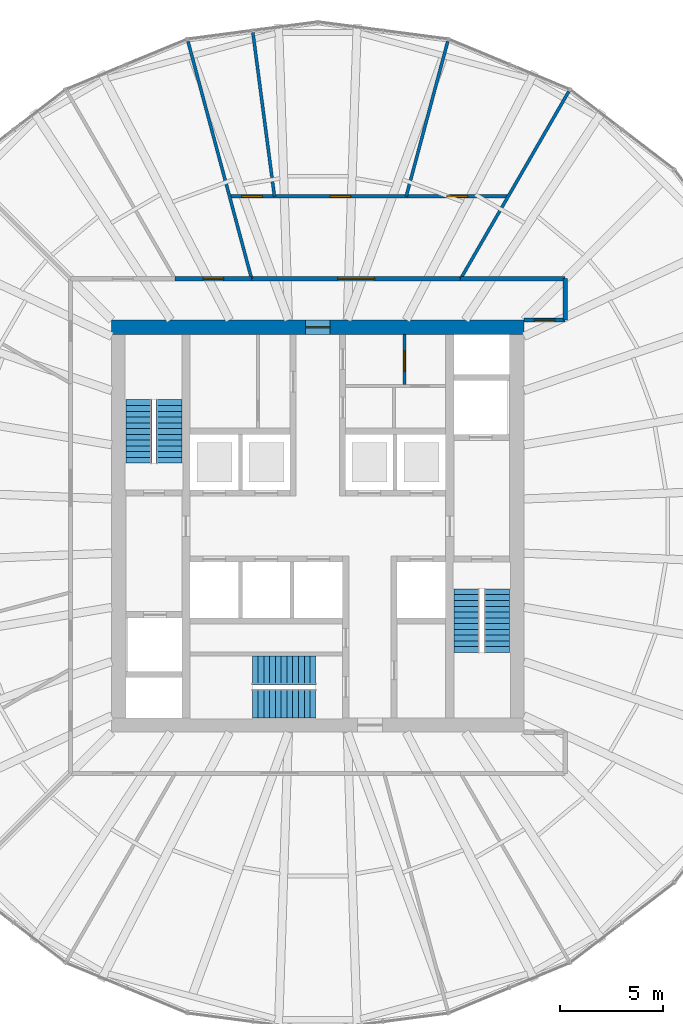
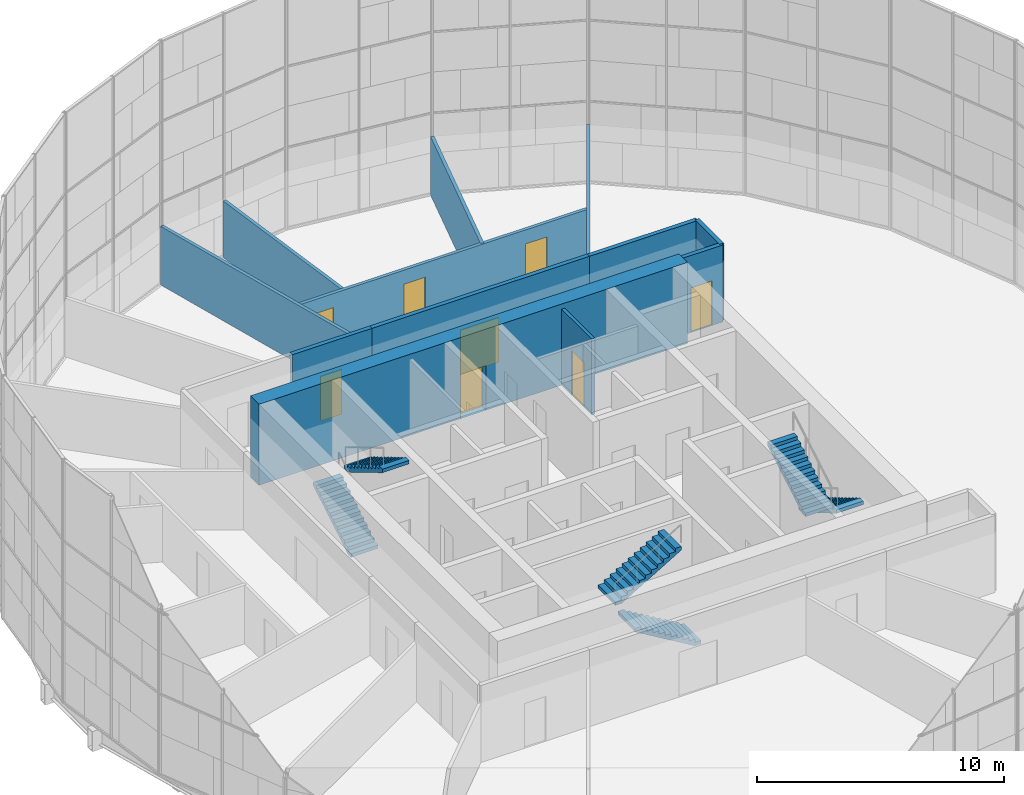
# One storey, part 20 of 22: 12 walls, 8 doors, 6 stair flights, 8 openings, 3 elements without a shape of their own.
"""IFC4 building model written with IfcOpenShell, lengths in metres."""

from ifc_helpers import new_model, si_unit, direction, frame, frame_2d, origin, place, context, subcontext, project, spatial, polyline, rectangle, outline, extrude, material, layer, layer_set, type_object, element, fill, aggregate, save


model = new_model("IFC4")

# Units and contexts
model_context = context("Model", 3, precision=1e-05, world=origin(), true_north=direction((0.0, 1.0)))
body_context = subcontext(model_context, "Body", "Model", "MODEL_VIEW")
ifc_project = project(units=[si_unit("LENGTHUNIT", "METRE"), si_unit("AREAUNIT", "SQUARE_METRE"), si_unit("VOLUMEUNIT", "CUBIC_METRE"), si_unit("PLANEANGLEUNIT", "RADIAN"), si_unit("MASSUNIT", "GRAM", prefix="KILO")], contexts=[model_context])

# Site, building, storey
site_placement = place(None, origin())
site = spatial("IfcSite", under=ifc_project, at=site_placement, CompositionType="ELEMENT")
building_placement = place(site_placement, origin())
building = spatial("IfcBuilding", under=site, at=building_placement, Name="Golbaran Civic Tower", CompositionType="ELEMENT")
storey_placement = place(building_placement, frame((0.0, 0.0, 90.0)))
storey = spatial("IfcBuildingStorey", under=building, at=storey_placement, Name="L21", CompositionType="ELEMENT", Elevation=90.0)

# Wall, opening, door
ifc_material_1 = material(Name="Concrete C50/60", Category="concrete")
ifc_layer_1 = layer(ifc_material_1, 0.699951171875, Name="Concrete C50/60")
ifc_layer_set_1 = layer_set([ifc_layer_1], Name="Concrete C50/60")
wall_type_1 = type_object("IfcWallType", Name="CORE WALL CONCRETE 700", PredefinedType="SOLIDWALL", material=ifc_layer_set_1)
wall_1_placement = place(storey_placement, frame((-10.0, 9.64990234375, 0.0), z_axis=(0.0, 0.0, 1.0), x_axis=(1.0, 0.0, 0.0)))
wall_1 = element("IfcWall", 1, at=wall_1_placement, inside=storey, type_object=wall_type_1, Name="Core wall CN L21", PredefinedType="SOLIDWALL", context=body_context, shape_type="SweptSolid", body=[
    extrude(rectangle(XDim=20.0, YDim=0.699951171875, at=frame_2d((10.0, 0.0))), origin(), (0.0, 0.0, 1.0), 4.0),
])
opening_1_placement = place(wall_1_placement, frame((9.39990234375, 0.0, 0.0)))
opening_1 = element("IfcOpeningElement", 2, at=opening_1_placement, cuts=wall_1, Name="Opening L21.CN", PredefinedType="OPENING", context=body_context, shape_type="SweptSolid", body=[
    extrude(rectangle(XDim=1.199951171875, YDim=2.199951171875, at=frame_2d((0.60009765625, 1.10009765625))), frame((0.0, 0.35986328125, 0.0), z_axis=(0.0, -1.0, 0.0), x_axis=(1.0, 0.0, 0.0)), (0.0, 0.0, 1.0), 0.719970703125),
])
ifc_material_2 = material(Name="Timber door set in steel frame", Category="steel")
door_type_1 = type_object("IfcDoorType", Name="CORE DOOR 1200x2200", OperationType="DOUBLE_DOOR_SINGLE_SWING", PredefinedType="DOOR", material=ifc_material_2)
door_1_placement = place(opening_1_placement, origin())
door_1 = element("IfcDoor", 3, at=door_1_placement, inside=storey, type_object=door_type_1, Name="Core door north", OperationType="DOUBLE_DOOR_SINGLE_SWING", OverallHeight=2.199951171875, OverallWidth=1.199951171875, PredefinedType="DOOR", context=body_context, shape_type="SweptSolid", body=[
    extrude(rectangle(XDim=1.199951171875, YDim=2.199951171875, at=frame_2d((0.60009765625, 1.10009765625))), frame((0.0, 0.02490234375, 0.0), z_axis=(0.0, -1.0, 0.0), x_axis=(1.0, 0.0, 0.0)), (0.0, 0.0, 1.0), 0.050048828125),
])
fill(opening_1, door_1)

# Walls
ifc_material_3 = material(Name="Gypsum board on steel studs, fire-rated", Category="steel")
ifc_layer_2 = layer(ifc_material_3, 0.199951171875, Name="Gypsum board on steel studs, fire-rated")
ifc_layer_set_2 = layer_set([ifc_layer_2], Name="Gypsum board on steel studs, fire-rated")
wall_type_2 = type_object("IfcWallType", Name="CORRIDOR WALL 200", PredefinedType="PARTITIONING", material=ifc_layer_set_2)
wall_2_placement = place(storey_placement, frame((12.0, 10.0, 0.0), z_axis=(0.0, 0.0, 1.0), x_axis=(0.0, 1.0, 0.0)))
element("IfcWall", 4, at=wall_2_placement, inside=storey, type_object=wall_type_2, Name="Corridor wall L21", PredefinedType="PARTITIONING", context=body_context, shape_type="SweptSolid", body=[
    extrude(rectangle(XDim=2.0, YDim=0.199951171875, at=frame_2d((1.0, 0.0))), origin(), (0.0, 0.0, 1.0), 3.800048828125),
])
wall_3_placement = place(storey_placement, frame((12.0, 12.0, 0.0), z_axis=(0.0, 0.0, 1.0), x_axis=(-1.0, 0.0, 0.0)))
element("IfcWall", 5, at=wall_3_placement, inside=storey, type_object=wall_type_2, Name="Corridor wall L21", PredefinedType="PARTITIONING", context=body_context, shape_type="SweptSolid", body=[
    extrude(rectangle(XDim=5.07177734375, YDim=0.199951171875, at=frame_2d((2.535888671875, 0.0))), origin(), (0.0, 0.0, 1.0), 3.800048828125),
])

# Wall, opening, door
wall_4_placement = place(storey_placement, frame((6.92822265625, 12.0, 0.0), z_axis=(0.0, 0.0, 1.0), x_axis=(-1.0, 0.0, 0.0)))
wall_4 = element("IfcWall", 6, at=wall_4_placement, inside=storey, type_object=wall_type_2, Name="Corridor wall L21", PredefinedType="PARTITIONING", context=body_context, shape_type="SweptSolid", body=[
    extrude(rectangle(XDim=10.1435546875, YDim=0.199951171875, at=frame_2d((5.07177734375, 0.0))), origin(), (0.0, 0.0, 1.0), 3.800048828125),
])
opening_2_placement = place(wall_4_placement, frame((4.171875, 0.0, 0.0)))
opening_2 = element("IfcOpeningElement", 7, at=opening_2_placement, cuts=wall_4, Name="Opening L21.08", PredefinedType="OPENING", context=body_context, shape_type="SweptSolid", body=[
    extrude(rectangle(XDim=1.800048828125, YDim=2.199951171875, at=frame_2d((0.89990234375, 1.10009765625))), frame((0.0, 0.10986328125, 0.0), z_axis=(0.0, -1.0, 0.0), x_axis=(1.0, 0.0, 0.0)), (0.0, 0.0, 1.0), 0.219970703125),
])
door_type_2 = type_object("IfcDoorType", Name="OFFICE DOUBLE DOOR 1800x2200", OperationType="DOUBLE_DOOR_SINGLE_SWING", PredefinedType="DOOR", material=ifc_material_2)
door_2_placement = place(opening_2_placement, origin())
door_2 = element("IfcDoor", 8, at=door_2_placement, inside=storey, type_object=door_type_2, Name="Secretariat door L21", OperationType="DOUBLE_DOOR_SINGLE_SWING", OverallHeight=2.199951171875, OverallWidth=1.800048828125, PredefinedType="DOOR", context=body_context, shape_type="SweptSolid", body=[
    extrude(rectangle(XDim=1.800048828125, YDim=2.199951171875, at=frame_2d((0.89990234375, 1.10009765625))), frame((0.0, 0.02490234375, 0.0), z_axis=(0.0, -1.0, 0.0), x_axis=(1.0, 0.0, 0.0)), (0.0, 0.0, 1.0), 0.050048828125),
])
fill(opening_2, door_2)

wall_5_placement = place(storey_placement, frame((-3.21533203125, 12.0, 0.0), z_axis=(0.0, 0.0, 1.0), x_axis=(-1.0, 0.0, 0.0)))
wall_5 = element("IfcWall", 9, at=wall_5_placement, inside=storey, type_object=wall_type_2, Name="Corridor wall L21", PredefinedType="PARTITIONING", context=body_context, shape_type="SweptSolid", body=[
    extrude(rectangle(XDim=3.712890625, YDim=0.199951171875, at=frame_2d((1.8564453125, 0.0))), origin(), (0.0, 0.0, 1.0), 3.800048828125),
])
opening_3_placement = place(wall_5_placement, frame((1.3564453125, 0.0, 0.0)))
opening_3 = element("IfcOpeningElement", 10, at=opening_3_placement, cuts=wall_5, Name="Opening L21.09", PredefinedType="OPENING", context=body_context, shape_type="SweptSolid", body=[
    extrude(rectangle(XDim=1.0, YDim=2.199951171875, at=frame_2d((0.5, 1.10009765625))), frame((0.0, 0.10986328125, 0.0), z_axis=(0.0, -1.0, 0.0), x_axis=(1.0, 0.0, 0.0)), (0.0, 0.0, 1.0), 0.219970703125),
])
door_type_3 = type_object("IfcDoorType", Name="OFFICE DOOR 1000x2200", OperationType="SINGLE_SWING_LEFT", PredefinedType="DOOR", material=ifc_material_2)
door_3_placement = place(opening_3_placement, origin())
door_3 = element("IfcDoor", 11, at=door_3_placement, inside=storey, type_object=door_type_3, Name="Meeting Room door L21", OperationType="SINGLE_SWING_RIGHT", OverallHeight=2.199951171875, OverallWidth=1.0, PredefinedType="DOOR", context=body_context, shape_type="SweptSolid", body=[
    extrude(rectangle(XDim=1.0, YDim=2.199951171875, at=frame_2d((0.5, 1.10009765625))), frame((0.0, 0.02490234375, 0.0), z_axis=(0.0, -1.0, 0.0), x_axis=(1.0, 0.0, 0.0)), (0.0, 0.0, 1.0), 0.050048828125),
])
fill(opening_3, door_3)

wall_6_placement = place(storey_placement, frame((10.0, 10.0, 0.0), z_axis=(0.0, 0.0, 1.0), x_axis=(1.0, 0.0, 0.0)))
wall_6 = element("IfcWall", 12, at=wall_6_placement, inside=storey, type_object=wall_type_2, Name="Corridor end wall L21", PredefinedType="PARTITIONING", context=body_context, shape_type="SweptSolid", body=[
    extrude(rectangle(XDim=2.0, YDim=0.199951171875, at=frame_2d((1.0, 0.0))), origin(), (0.0, 0.0, 1.0), 3.800048828125),
])
opening_4_placement = place(wall_6_placement, frame((0.5, 0.0, 0.0)))
opening_4 = element("IfcOpeningElement", 13, at=opening_4_placement, cuts=wall_6, Name="Opening L21.19", PredefinedType="OPENING", context=body_context, shape_type="SweptSolid", body=[
    extrude(rectangle(XDim=1.0, YDim=2.199951171875, at=frame_2d((0.5, 1.10009765625))), frame((0.0, 0.10986328125, 0.0), z_axis=(0.0, -1.0, 0.0), x_axis=(1.0, 0.0, 0.0)), (0.0, 0.0, 1.0), 0.219970703125),
])
door_4_placement = place(opening_4_placement, origin())
door_4 = element("IfcDoor", 14, at=door_4_placement, inside=storey, type_object=door_type_3, Name="Open Office door L21", OperationType="SINGLE_SWING_LEFT", OverallHeight=2.199951171875, OverallWidth=1.0, PredefinedType="DOOR", context=body_context, shape_type="SweptSolid", body=[
    extrude(rectangle(XDim=1.0, YDim=2.199951171875, at=frame_2d((0.5, 1.10009765625))), frame((0.0, 0.02490234375, 0.0), z_axis=(0.0, -1.0, 0.0), x_axis=(1.0, 0.0, 0.0)), (0.0, 0.0, 1.0), 0.050048828125),
])
fill(opening_4, door_4)

# Walls
ifc_material_4 = material(Name="Gypsum board on steel studs", Category="steel")
ifc_layer_3 = layer(ifc_material_4, 0.14990234375, Name="Gypsum board on steel studs")
ifc_layer_set_3 = layer_set([ifc_layer_3], Name="Gypsum board on steel studs")
wall_type_3 = type_object("IfcWallType", Name="OFFICE PARTITION 150", PredefinedType="PARTITIONING", material=ifc_layer_set_3)
wall_7_placement = place(storey_placement, frame((6.92822265625, 12.0, 0.0), z_axis=(0.0, 0.0, 1.0), x_axis=(0.499995153367, 0.866028201971, 0.0)))
element("IfcWall", 15, at=wall_7_placement, inside=storey, type_object=wall_type_3, Name="Partition 60 L21", PredefinedType="PARTITIONING", context=body_context, shape_type="SweptSolid", body=[
    extrude(rectangle(XDim=10.513671875, YDim=0.14990234375, at=frame_2d((5.2568359375, 0.0))), origin(), (0.0, 0.0, 1.0), 2.889892578125),
])
wall_8_placement = place(storey_placement, frame((-3.21533203125, 12.0, 0.0), z_axis=(0.0, 0.0, 1.0), x_axis=(-0.258816099716, 0.965926615498, 0.0)))
element("IfcWall", 16, at=wall_8_placement, inside=storey, type_object=wall_type_3, Name="Partition 105 L21", PredefinedType="PARTITIONING", context=body_context, shape_type="SweptSolid", body=[
    extrude(rectangle(XDim=11.94677734375, YDim=0.14990234375, at=frame_2d((5.973388671875, 0.0))), origin(), (0.0, 0.0, 1.0), 2.889892578125),
])

# Wall, openings, doors
wall_9_placement = place(storey_placement, frame((9.237548828125, 16.0, 0.0), z_axis=(0.0, 0.0, 1.0), x_axis=(-1.0, 0.0, 0.0)))
wall_9 = element("IfcWall", 17, at=wall_9_placement, inside=storey, type_object=wall_type_3, Name="Suite partition L21", PredefinedType="PARTITIONING", context=body_context, shape_type="SweptSolid", body=[
    extrude(rectangle(XDim=13.524658203125, YDim=0.14990234375, at=frame_2d((6.76220703125, 0.0))), origin(), (0.0, 0.0, 1.0), 2.889892578125),
])
opening_5_placement = place(wall_9_placement, frame((1.97509765625, 0.0, 0.0)))
opening_5 = element("IfcOpeningElement", 18, at=opening_5_placement, cuts=wall_9, Name="Opening L21.01", PredefinedType="OPENING", context=body_context, shape_type="SweptSolid", body=[
    extrude(rectangle(XDim=1.0, YDim=2.199951171875, at=frame_2d((0.5, 1.10009765625))), frame((0.0, 0.0849609375, 0.0), z_axis=(0.0, -1.0, 0.0), x_axis=(1.0, 0.0, 0.0)), (0.0, 0.0, 1.0), 0.169921875),
])
opening_6_placement = place(wall_9_placement, frame((7.647216796875, 0.0, 0.0)))
opening_6 = element("IfcOpeningElement", 19, at=opening_6_placement, cuts=wall_9, Name="Opening L21.02", PredefinedType="OPENING", context=body_context, shape_type="SweptSolid", body=[
    extrude(rectangle(XDim=1.0, YDim=2.199951171875, at=frame_2d((0.5, 1.10009765625))), frame((0.0, 0.0849609375, 0.0), z_axis=(0.0, -1.0, 0.0), x_axis=(1.0, 0.0, 0.0)), (0.0, 0.0, 1.0), 0.169921875),
])
opening_7_placement = place(wall_9_placement, frame((11.934326171875, 0.0, 0.0)))
opening_7 = element("IfcOpeningElement", 20, at=opening_7_placement, cuts=wall_9, Name="Opening L21.03", PredefinedType="OPENING", context=body_context, shape_type="SweptSolid", body=[
    extrude(rectangle(XDim=1.0, YDim=2.199951171875, at=frame_2d((0.5, 1.10009765625))), frame((0.0, 0.0849609375, 0.0), z_axis=(0.0, -1.0, 0.0), x_axis=(1.0, 0.0, 0.0)), (0.0, 0.0, 1.0), 0.169921875),
])
door_5_placement = place(opening_5_placement, origin())
door_5 = element("IfcDoor", 21, at=door_5_placement, inside=storey, type_object=door_type_3, Name="Director's Office door L21", OperationType="SINGLE_SWING_LEFT", OverallHeight=2.199951171875, OverallWidth=1.0, PredefinedType="DOOR", context=body_context, shape_type="SweptSolid", body=[
    extrude(rectangle(XDim=1.0, YDim=2.199951171875, at=frame_2d((0.5, 1.10009765625))), frame((0.0, 0.02490234375, 0.0), z_axis=(0.0, -1.0, 0.0), x_axis=(1.0, 0.0, 0.0)), (0.0, 0.0, 1.0), 0.050048828125),
])
fill(opening_5, door_5)
door_6_placement = place(opening_6_placement, origin())
door_6 = element("IfcDoor", 22, at=door_6_placement, inside=storey, type_object=door_type_3, Name="Director's Office door L21", OperationType="SINGLE_SWING_RIGHT", OverallHeight=2.199951171875, OverallWidth=1.0, PredefinedType="DOOR", context=body_context, shape_type="SweptSolid", body=[
    extrude(rectangle(XDim=1.0, YDim=2.199951171875, at=frame_2d((0.5, 1.10009765625))), frame((0.0, 0.02490234375, 0.0), z_axis=(0.0, -1.0, 0.0), x_axis=(1.0, 0.0, 0.0)), (0.0, 0.0, 1.0), 0.050048828125),
])
fill(opening_6, door_6)
door_7_placement = place(opening_7_placement, origin())
door_7 = element("IfcDoor", 23, at=door_7_placement, inside=storey, type_object=door_type_3, Name="Office door L21", OperationType="SINGLE_SWING_RIGHT", OverallHeight=2.199951171875, OverallWidth=1.0, PredefinedType="DOOR", context=body_context, shape_type="SweptSolid", body=[
    extrude(rectangle(XDim=1.0, YDim=2.199951171875, at=frame_2d((0.5, 1.10009765625))), frame((0.0, 0.02490234375, 0.0), z_axis=(0.0, -1.0, 0.0), x_axis=(1.0, 0.0, 0.0)), (0.0, 0.0, 1.0), 0.050048828125),
])
fill(opening_7, door_7)

# Walls
wall_10_placement = place(storey_placement, frame((4.287109375, 16.0, 0.0), z_axis=(0.0, 0.0, 1.0), x_axis=(0.258816859097, 0.965926412025, 0.0)))
element("IfcWall", 24, at=wall_10_placement, inside=storey, type_object=wall_type_3, Name="Partition 75 L21", PredefinedType="PARTITIONING", context=body_context, shape_type="SweptSolid", body=[
    extrude(rectangle(XDim=7.8056640625, YDim=0.14990234375, at=frame_2d((3.90283203125, 0.0))), origin(), (0.0, 0.0, 1.0), 2.889892578125),
])
wall_11_placement = place(storey_placement, frame((-2.1064453125, 16.0, 0.0), z_axis=(0.0, 0.0, 1.0), x_axis=(-0.130533221372, 0.991443935943, 0.0)))
element("IfcWall", 25, at=wall_11_placement, inside=storey, type_object=wall_type_3, Name="Partition 97.5 L21", PredefinedType="PARTITIONING", context=body_context, shape_type="SweptSolid", body=[
    extrude(rectangle(XDim=8.023681640625, YDim=0.14990234375, at=frame_2d((4.01171875, 0.0))), origin(), (0.0, 0.0, 1.0), 2.7900390625),
])

# Wall, opening, door
ifc_material_5 = material(Name="Moisture-resistant gypsum board on steel studs", Category="steel")
ifc_layer_4 = layer(ifc_material_5, 0.14990234375, Name="Moisture-resistant gypsum board on steel studs")
ifc_layer_set_4 = layer_set([ifc_layer_4], Name="Moisture-resistant gypsum board on steel studs")
wall_type_4 = type_object("IfcWallType", Name="TOILET BLOCK PARTITION 150", PredefinedType="PARTITIONING", material=ifc_layer_set_4)
wall_12_placement = place(storey_placement, frame((4.199951171875, 6.875, 0.0), z_axis=(0.0, 0.0, 1.0), x_axis=(0.0, 1.0, 0.0)))
wall_12 = element("IfcWall", 26, at=wall_12_placement, inside=storey, type_object=wall_type_4, Name="Toilet block partition TN3 L21", PredefinedType="PARTITIONING", context=body_context, shape_type="SweptSolid", body=[
    extrude(rectangle(XDim=2.425048828125, YDim=0.14990234375, at=frame_2d((1.21240234375, 0.0))), origin(), (0.0, 0.0, 1.0), 3.75),
])
opening_8_placement = place(wall_12_placement, frame((0.625, 0.0, 0.0)))
opening_8 = element("IfcOpeningElement", 27, at=opening_8_placement, cuts=wall_12, Name="Opening L21.07", PredefinedType="OPENING", context=body_context, shape_type="SweptSolid", body=[
    extrude(rectangle(XDim=1.0, YDim=2.199951171875, at=frame_2d((0.5, 1.10009765625))), frame((0.0, 0.0849609375, 0.0), z_axis=(0.0, -1.0, 0.0), x_axis=(1.0, 0.0, 0.0)), (0.0, 0.0, 1.0), 0.169921875),
])
door_type_4 = type_object("IfcDoorType", Name="TOILET DOOR 1000x2200", OperationType="SINGLE_SWING_LEFT", PredefinedType="DOOR", material=ifc_material_2)
door_8_placement = place(opening_8_placement, origin())
door_8 = element("IfcDoor", 28, at=door_8_placement, inside=storey, type_object=door_type_4, Name="Parents' room door", OperationType="SINGLE_SWING_LEFT", OverallHeight=2.199951171875, OverallWidth=1.0, PredefinedType="DOOR", context=body_context, shape_type="SweptSolid", body=[
    extrude(rectangle(XDim=1.0, YDim=2.199951171875, at=frame_2d((0.5, 1.10009765625))), frame((0.0, 0.02490234375, 0.0), z_axis=(0.0, -1.0, 0.0), x_axis=(1.0, 0.0, 0.0)), (0.0, 0.0, 1.0), 0.050048828125),
])
fill(opening_8, door_8)

# Stair, stair flights
ifc_material_6 = material(Name="Concrete C35/45", Category="concrete")
stair_type_1 = type_object("IfcStairType", Name="EXIT STAIR 2700 x 7550, 4000 RISE", PredefinedType="HALF_TURN_STAIR", material=ifc_material_6)
stair_1_placement = place(storey_placement, origin())
stair_1 = element("IfcStair", 29, at=stair_1_placement, inside=storey, type_object=stair_type_1, Name="Stair S1 L21", PredefinedType="HALF_TURN_STAIR")
stair_flight_type_1 = type_object("IfcStairFlightType", Name="STAIR FLIGHT 1250 WIDE", PredefinedType="STRAIGHT", material=ifc_material_6)
stair_flight_1_placement = place(storey_placement, frame((-8.675048828125, 3.050048828125, 0.0), z_axis=(0.0, 0.0, 1.0), x_axis=(0.0, 1.0, 0.0)))
stair_flight_1 = element("IfcStairFlight", 30, at=stair_flight_1_placement, type_object=stair_flight_type_1, Name="ST27076-40 flight 1", NumberOfRisers=12, NumberOfTreads=11, PredefinedType="STRAIGHT", RiserHeight=0.166666667, TreadLength=0.28, context=body_context, shape_type="SweptSolid", body=[
    extrude(outline(polyline([(0.0, 0.0), (0.0, 0.166748046875), (0.280029296875, 0.166748046875), (0.280029296875, 0.333251953125), (0.56005859375, 0.333251953125), (0.56005859375, 0.5), (0.840087890625, 0.5), (0.840087890625, 0.666748046875), (1.1201171875, 0.666748046875), (1.1201171875, 0.833251953125), (1.39990234375, 0.833251953125), (1.39990234375, 1.0), (1.679931640625, 1.0), (1.679931640625, 1.166748046875), (1.9599609375, 1.166748046875), (1.9599609375, 1.333251953125), (2.239990234375, 1.333251953125), (2.239990234375, 1.5), (2.52001953125, 1.5), (2.52001953125, 1.666748046875), (2.800048828125, 1.666748046875), (2.800048828125, 1.833251953125), (3.080078125, 1.833251953125), (3.080078125, 2.0), (3.080078125, 1.658935546875), (0.29296875, 0.0), (0.0, 0.0)])), frame((0.0, 0.625, 0.0), z_axis=(0.0, -1.0, 0.0), x_axis=(1.0, 0.0, 0.0)), (0.0, 0.0, 1.0), 1.25),
])
stair_flight_2_placement = place(storey_placement, frame((-7.22509765625, 6.1298828125, 2.0), z_axis=(0.0, 0.0, 1.0), x_axis=(0.0, -1.0, 0.0)))
stair_flight_2 = element("IfcStairFlight", 31, at=stair_flight_2_placement, type_object=stair_flight_type_1, Name="ST27076-40 flight 2", NumberOfRisers=12, NumberOfTreads=11, PredefinedType="STRAIGHT", RiserHeight=0.166666667, TreadLength=0.28, context=body_context, shape_type="SweptSolid", body=[
    extrude(outline(polyline([(0.0, 0.0), (0.0, 0.166748046875), (0.280029296875, 0.166748046875), (0.280029296875, 0.333251953125), (0.56005859375, 0.333251953125), (0.56005859375, 0.5), (0.840087890625, 0.5), (0.840087890625, 0.666748046875), (1.1201171875, 0.666748046875), (1.1201171875, 0.833251953125), (1.39990234375, 0.833251953125), (1.39990234375, 1.0), (1.679931640625, 1.0), (1.679931640625, 1.166748046875), (1.9599609375, 1.166748046875), (1.9599609375, 1.333251953125), (2.239990234375, 1.333251953125), (2.239990234375, 1.5), (2.52001953125, 1.5), (2.52001953125, 1.666748046875), (2.800048828125, 1.666748046875), (2.800048828125, 1.833251953125), (3.080078125, 1.833251953125), (3.080078125, 2.0), (3.080078125, 1.658935546875), (0.29296875, 0.0), (0.0, 0.0)])), frame((0.0, 0.625, 0.0), z_axis=(0.0, -1.0, 0.0), x_axis=(1.0, 0.0, 0.0)), (0.0, 0.0, 1.0), 1.25),
])
aggregate(stair_1, [stair_flight_1, stair_flight_2])

stair_2_placement = place(storey_placement, origin())
stair_2 = element("IfcStair", 32, at=stair_2_placement, inside=storey, type_object=stair_type_1, Name="Stair S2 L21", PredefinedType="HALF_TURN_STAIR")
stair_flight_3_placement = place(storey_placement, frame((8.675048828125, -3.050048828125, 0.0), z_axis=(0.0, 0.0, 1.0), x_axis=(0.0, -1.0, 0.0)))
stair_flight_3 = element("IfcStairFlight", 33, at=stair_flight_3_placement, type_object=stair_flight_type_1, Name="ST27076-40 flight 1", NumberOfRisers=12, NumberOfTreads=11, PredefinedType="STRAIGHT", RiserHeight=0.166666667, TreadLength=0.28, context=body_context, shape_type="SweptSolid", body=[
    extrude(outline(polyline([(0.0, 0.0), (0.0, 0.166748046875), (0.280029296875, 0.166748046875), (0.280029296875, 0.333251953125), (0.56005859375, 0.333251953125), (0.56005859375, 0.5), (0.840087890625, 0.5), (0.840087890625, 0.666748046875), (1.1201171875, 0.666748046875), (1.1201171875, 0.833251953125), (1.39990234375, 0.833251953125), (1.39990234375, 1.0), (1.679931640625, 1.0), (1.679931640625, 1.166748046875), (1.9599609375, 1.166748046875), (1.9599609375, 1.333251953125), (2.239990234375, 1.333251953125), (2.239990234375, 1.5), (2.52001953125, 1.5), (2.52001953125, 1.666748046875), (2.800048828125, 1.666748046875), (2.800048828125, 1.833251953125), (3.080078125, 1.833251953125), (3.080078125, 2.0), (3.080078125, 1.658935546875), (0.29296875, 0.0), (0.0, 0.0)])), frame((0.0, 0.625, 0.0), z_axis=(0.0, -1.0, 0.0), x_axis=(1.0, 0.0, 0.0)), (0.0, 0.0, 1.0), 1.25),
])
stair_flight_4_placement = place(storey_placement, frame((7.22509765625, -6.1298828125, 2.0), z_axis=(0.0, 0.0, 1.0), x_axis=(0.0, 1.0, 0.0)))
stair_flight_4 = element("IfcStairFlight", 34, at=stair_flight_4_placement, type_object=stair_flight_type_1, Name="ST27076-40 flight 2", NumberOfRisers=12, NumberOfTreads=11, PredefinedType="STRAIGHT", RiserHeight=0.166666667, TreadLength=0.28, context=body_context, shape_type="SweptSolid", body=[
    extrude(outline(polyline([(0.0, 0.0), (0.0, 0.166748046875), (0.280029296875, 0.166748046875), (0.280029296875, 0.333251953125), (0.56005859375, 0.333251953125), (0.56005859375, 0.5), (0.840087890625, 0.5), (0.840087890625, 0.666748046875), (1.1201171875, 0.666748046875), (1.1201171875, 0.833251953125), (1.39990234375, 0.833251953125), (1.39990234375, 1.0), (1.679931640625, 1.0), (1.679931640625, 1.166748046875), (1.9599609375, 1.166748046875), (1.9599609375, 1.333251953125), (2.239990234375, 1.333251953125), (2.239990234375, 1.5), (2.52001953125, 1.5), (2.52001953125, 1.666748046875), (2.800048828125, 1.666748046875), (2.800048828125, 1.833251953125), (3.080078125, 1.833251953125), (3.080078125, 2.0), (3.080078125, 1.658935546875), (0.29296875, 0.0), (0.0, 0.0)])), frame((0.0, 0.625, 0.0), z_axis=(0.0, -1.0, 0.0), x_axis=(1.0, 0.0, 0.0)), (0.0, 0.0, 1.0), 1.25),
])
aggregate(stair_2, [stair_flight_3, stair_flight_4])

stair_type_2 = type_object("IfcStairType", Name="EXIT STAIR 3000 x 7400, 4000 RISE", PredefinedType="HALF_TURN_STAIR", material=ifc_material_6)
stair_3_placement = place(storey_placement, origin())
stair_3 = element("IfcStair", 35, at=stair_3_placement, inside=storey, type_object=stair_type_2, Name="Stair S3 L21", PredefinedType="HALF_TURN_STAIR")
stair_flight_type_2 = type_object("IfcStairFlightType", Name="STAIR FLIGHT 1400 WIDE", PredefinedType="STRAIGHT", material=ifc_material_6)
stair_flight_5_placement = place(storey_placement, frame((-0.10009765625, -8.60009765625, 0.0), z_axis=(0.0, 0.0, 1.0), x_axis=(-1.0, 0.0, 0.0)))
stair_flight_5 = element("IfcStairFlight", 36, at=stair_flight_5_placement, type_object=stair_flight_type_2, Name="ST30074-40 flight 1", NumberOfRisers=12, NumberOfTreads=11, PredefinedType="STRAIGHT", RiserHeight=0.166666667, TreadLength=0.28, context=body_context, shape_type="SweptSolid", body=[
    extrude(outline(polyline([(0.0, 0.0), (0.0, 0.166748046875), (0.280029296875, 0.166748046875), (0.280029296875, 0.333251953125), (0.56005859375, 0.333251953125), (0.56005859375, 0.5), (0.840087890625, 0.5), (0.840087890625, 0.666748046875), (1.1201171875, 0.666748046875), (1.1201171875, 0.833251953125), (1.39990234375, 0.833251953125), (1.39990234375, 1.0), (1.679931640625, 1.0), (1.679931640625, 1.166748046875), (1.9599609375, 1.166748046875), (1.9599609375, 1.333251953125), (2.239990234375, 1.333251953125), (2.239990234375, 1.5), (2.52001953125, 1.5), (2.52001953125, 1.666748046875), (2.800048828125, 1.666748046875), (2.800048828125, 1.833251953125), (3.080078125, 1.833251953125), (3.080078125, 2.0), (3.080078125, 1.658935546875), (0.29296875, 0.0), (0.0, 0.0)])), frame((0.0, 0.699951171875, 0.0), z_axis=(0.0, -1.0, 0.0), x_axis=(1.0, 0.0, 0.0)), (0.0, 0.0, 1.0), 1.39990234375),
])
stair_flight_6_placement = place(storey_placement, frame((-3.179931640625, -7.0, 2.0), z_axis=(0.0, 0.0, 1.0), x_axis=(1.0, 0.0, 0.0)))
stair_flight_6 = element("IfcStairFlight", 37, at=stair_flight_6_placement, type_object=stair_flight_type_2, Name="ST30074-40 flight 2", NumberOfRisers=12, NumberOfTreads=11, PredefinedType="STRAIGHT", RiserHeight=0.166666667, TreadLength=0.28, context=body_context, shape_type="SweptSolid", body=[
    extrude(outline(polyline([(0.0, 0.0), (0.0, 0.166748046875), (0.280029296875, 0.166748046875), (0.280029296875, 0.333251953125), (0.56005859375, 0.333251953125), (0.56005859375, 0.5), (0.840087890625, 0.5), (0.840087890625, 0.666748046875), (1.1201171875, 0.666748046875), (1.1201171875, 0.833251953125), (1.39990234375, 0.833251953125), (1.39990234375, 1.0), (1.679931640625, 1.0), (1.679931640625, 1.166748046875), (1.9599609375, 1.166748046875), (1.9599609375, 1.333251953125), (2.239990234375, 1.333251953125), (2.239990234375, 1.5), (2.52001953125, 1.5), (2.52001953125, 1.666748046875), (2.800048828125, 1.666748046875), (2.800048828125, 1.833251953125), (3.080078125, 1.833251953125), (3.080078125, 2.0), (3.080078125, 1.658935546875), (0.29296875, 0.0), (0.0, 0.0)])), frame((0.0, 0.699951171875, 0.0), z_axis=(0.0, -1.0, 0.0), x_axis=(1.0, 0.0, 0.0)), (0.0, 0.0, 1.0), 1.39990234375),
])
aggregate(stair_3, [stair_flight_5, stair_flight_6])

save(model, "model.ifc")
